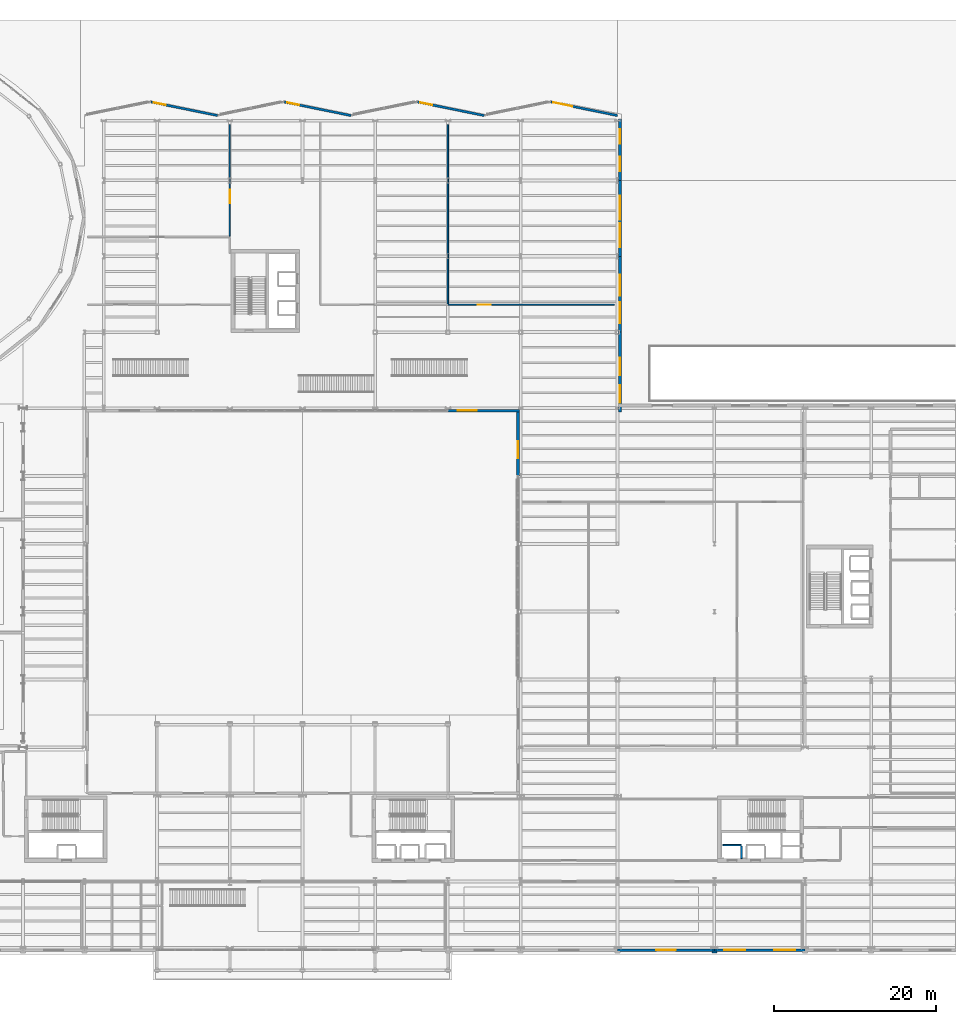
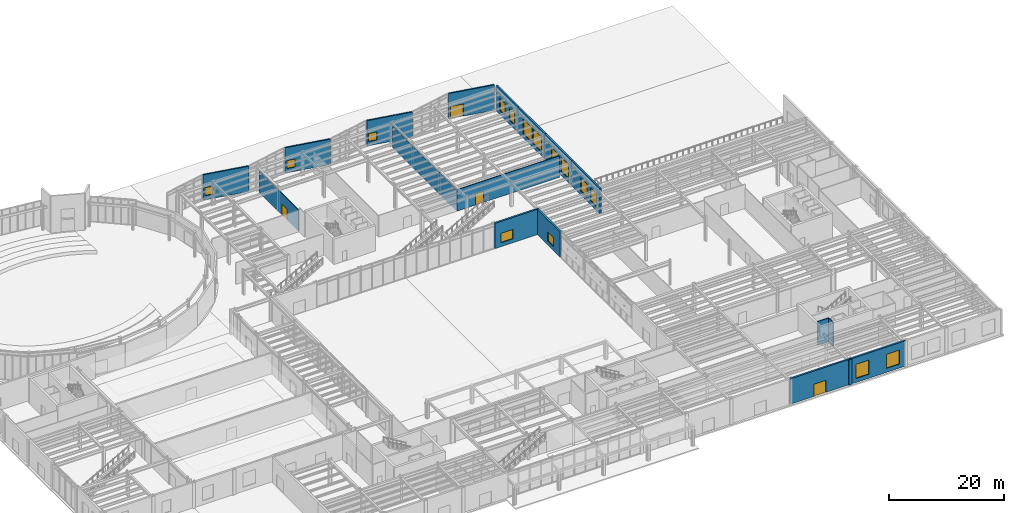
# One storey, part 77 of 94: 18 walls, 15 windows, 4 doors, 19 openings.
"""IFC4 building model written with IfcOpenShell, lengths in metres."""

from ifc_helpers import new_model, si_unit, direction, frame, frame_2d, origin, place, context, subcontext, project, spatial, rectangle, extrude, material, layer, layer_set, type_object, element, fill, save


model = new_model("IFC4")

# Units and contexts
model_context = context("Model", 3, precision=1e-05, world=origin(), true_north=direction((0.0, 1.0)))
body_context = subcontext(model_context, "Body", "Model", "MODEL_VIEW")
ifc_project = project(units=[si_unit("LENGTHUNIT", "METRE"), si_unit("AREAUNIT", "SQUARE_METRE"), si_unit("VOLUMEUNIT", "CUBIC_METRE"), si_unit("PLANEANGLEUNIT", "RADIAN"), si_unit("MASSUNIT", "GRAM", prefix="KILO")], contexts=[model_context])

# Site, building, storey
site_placement = place(None, origin())
site = spatial("IfcSite", under=ifc_project, at=site_placement, CompositionType="ELEMENT")
building_placement = place(site_placement, origin())
building = spatial("IfcBuilding", under=site, at=building_placement, Name="Sollismere Congress Hotel", CompositionType="ELEMENT")
storey_placement = place(building_placement, origin())
storey = spatial("IfcBuildingStorey", under=building, at=storey_placement, Name="L00", CompositionType="ELEMENT", Elevation=0.0)

# Wall, opening, window
ifc_material_1 = material(Name="Colorado Buff Sandstone Rainscreen on Insulated Backup", Category="masonry")
ifc_layer_1 = layer(ifc_material_1, 0.284912109375, Name="Colorado Buff Sandstone Rainscreen on Insulated Backup")
ifc_layer_set_1 = layer_set([ifc_layer_1], Name="Colorado Buff Sandstone Rainscreen on Insulated Backup")
wall_type_1 = type_object("IfcWallType", Name="WL-EXT285", PredefinedType="STANDARD", material=ifc_layer_set_1)
wall_1_placement = place(storey_placement, frame((66.25, 104.698486328125, 0.0), z_axis=(0.0, 0.0, 1.0), x_axis=(0.979925045119, -0.199366260807, 0.0)))
wall_1 = element("IfcWall", 1, at=wall_1_placement, inside=storey, type_object=wall_type_1, Name="Exterior wall EW-L00-021", PredefinedType="STANDARD", context=body_context, shape_type="SweptSolid", body=[
    extrude(rectangle(XDim=8.4189453125, YDim=0.284912109375, at=frame_2d((4.20947265625, 0.0))), origin(), (0.0, 0.0, 1.0), 5.39990234375),
])
opening_1_placement = place(wall_1_placement, frame((0.35009765625, 0.0, 0.89990234375)))
opening_1 = element("IfcOpeningElement", 2, at=opening_1_placement, cuts=wall_1, Name="Opening W-L00-005", PredefinedType="OPENING", context=body_context, shape_type="SweptSolid", body=[
    extrude(rectangle(XDim=1.5, YDim=1.699951171875, at=frame_2d((0.75, 0.85009765625))), frame((0.0, 0.15234375, 0.0), z_axis=(0.0, -1.0, 0.0), x_axis=(1.0, 0.0, 0.0)), (0.0, 0.0, 1.0), 0.304931640625),
])
ifc_material_2 = material(Name="Thermally Broken Bronze Aluminum & Low-E Glass", Category="aluminium")
window_type_1 = type_object("IfcWindowType", Name="WN-P150x170", PartitioningType="SINGLE_PANEL", PredefinedType="WINDOW", material=ifc_material_2)
window_1_placement = place(opening_1_placement, origin())
window_1 = element("IfcWindow", 3, at=window_1_placement, inside=storey, type_object=window_type_1, Name="WIN-W-L00-005", OverallHeight=1.699951171875, OverallWidth=1.5, PartitioningType="SINGLE_PANEL", PredefinedType="WINDOW", context=body_context, shape_type="SweptSolid", body=[
    extrude(rectangle(XDim=1.5, YDim=1.699951171875, at=frame_2d((0.75, 0.85009765625))), frame((0.0, 0.030029296875, 0.0), z_axis=(0.0, -1.0, 0.0), x_axis=(1.0, 0.0, 0.0)), (0.0, 0.0, 1.0), 0.06005859375),
])
fill(opening_1, window_1)

wall_2_placement = place(storey_placement, frame((82.75, 104.698486328125, 0.0), z_axis=(0.0, 0.0, 1.0), x_axis=(0.979925045119, -0.199366260807, 0.0)))
wall_2 = element("IfcWall", 4, at=wall_2_placement, inside=storey, type_object=wall_type_1, Name="Exterior wall EW-L00-022", PredefinedType="STANDARD", context=body_context, shape_type="SweptSolid", body=[
    extrude(rectangle(XDim=8.4189453125, YDim=0.284912109375, at=frame_2d((4.20947265625, 0.0))), origin(), (0.0, 0.0, 1.0), 5.39990234375),
])
opening_2_placement = place(wall_2_placement, frame((0.35009765625, 0.0, 0.89990234375)))
opening_2 = element("IfcOpeningElement", 5, at=opening_2_placement, cuts=wall_2, Name="Opening W-L00-006", PredefinedType="OPENING", context=body_context, shape_type="SweptSolid", body=[
    extrude(rectangle(XDim=1.5, YDim=1.699951171875, at=frame_2d((0.75, 0.85009765625))), frame((0.0, 0.15234375, 0.0), z_axis=(0.0, -1.0, 0.0), x_axis=(1.0, 0.0, 0.0)), (0.0, 0.0, 1.0), 0.304931640625),
])
window_2_placement = place(opening_2_placement, origin())
window_2 = element("IfcWindow", 6, at=window_2_placement, inside=storey, type_object=window_type_1, Name="WIN-W-L00-006", OverallHeight=1.699951171875, OverallWidth=1.5, PartitioningType="SINGLE_PANEL", PredefinedType="WINDOW", context=body_context, shape_type="SweptSolid", body=[
    extrude(rectangle(XDim=1.5, YDim=1.699951171875, at=frame_2d((0.75, 0.85009765625))), frame((0.0, 0.030029296875, 0.0), z_axis=(0.0, -1.0, 0.0), x_axis=(1.0, 0.0, 0.0)), (0.0, 0.0, 1.0), 0.06005859375),
])
fill(opening_2, window_2)

wall_3_placement = place(storey_placement, frame((99.25, 104.698486328125, 0.0), z_axis=(0.0, 0.0, 1.0), x_axis=(0.979925045119, -0.199366260807, 0.0)))
wall_3 = element("IfcWall", 7, at=wall_3_placement, inside=storey, type_object=wall_type_1, Name="Exterior wall EW-L00-023", PredefinedType="STANDARD", context=body_context, shape_type="SweptSolid", body=[
    extrude(rectangle(XDim=8.4189453125, YDim=0.284912109375, at=frame_2d((4.20947265625, 0.0))), origin(), (0.0, 0.0, 1.0), 5.39990234375),
])
opening_3_placement = place(wall_3_placement, frame((0.35009765625, 0.0, 0.89990234375)))
opening_3 = element("IfcOpeningElement", 8, at=opening_3_placement, cuts=wall_3, Name="Opening W-L00-007", PredefinedType="OPENING", context=body_context, shape_type="SweptSolid", body=[
    extrude(rectangle(XDim=1.5, YDim=1.699951171875, at=frame_2d((0.75, 0.85009765625))), frame((0.0, 0.15234375, 0.0), z_axis=(0.0, -1.0, 0.0), x_axis=(1.0, 0.0, 0.0)), (0.0, 0.0, 1.0), 0.304931640625),
])
window_3_placement = place(opening_3_placement, origin())
window_3 = element("IfcWindow", 9, at=window_3_placement, inside=storey, type_object=window_type_1, Name="WIN-W-L00-007", OverallHeight=1.699951171875, OverallWidth=1.5, PartitioningType="SINGLE_PANEL", PredefinedType="WINDOW", context=body_context, shape_type="SweptSolid", body=[
    extrude(rectangle(XDim=1.5, YDim=1.699951171875, at=frame_2d((0.75, 0.85009765625))), frame((0.0, 0.030029296875, 0.0), z_axis=(0.0, -1.0, 0.0), x_axis=(1.0, 0.0, 0.0)), (0.0, 0.0, 1.0), 0.06005859375),
])
fill(opening_3, window_3)

# Wall, opening, door
wall_4_placement = place(storey_placement, frame((115.75, 104.698486328125, 0.0), z_axis=(0.0, 0.0, 1.0), x_axis=(0.979925045119, -0.199366260807, 0.0)))
wall_4 = element("IfcWall", 10, at=wall_4_placement, inside=storey, type_object=wall_type_1, Name="Exterior wall EW-L00-024", PredefinedType="STANDARD", context=body_context, shape_type="SweptSolid", body=[
    extrude(rectangle(XDim=8.4189453125, YDim=0.284912109375, at=frame_2d((4.20947265625, 0.0))), origin(), (0.0, 0.0, 1.0), 5.39990234375),
])
opening_4_placement = place(wall_4_placement, frame((0.300048828125, 0.0, 0.0)))
opening_4 = element("IfcOpeningElement", 11, at=opening_4_placement, cuts=wall_4, Name="Opening D-L00-E06", PredefinedType="OPENING", context=body_context, shape_type="SweptSolid", body=[
    extrude(rectangle(XDim=2.39990234375, YDim=2.60009765625, at=frame_2d((1.199951171875, 1.300048828125))), frame((0.0, 0.15234375, 0.0), z_axis=(0.0, -1.0, 0.0), x_axis=(1.0, 0.0, 0.0)), (0.0, 0.0, 1.0), 0.304931640625),
])
ifc_material_3 = material(Name="Thermally Broken Bronze-Anodized Aluminum & Laminated Glass", Category="aluminium")
door_type_1 = type_object("IfcDoorType", Name="DR-EX240", OperationType="DOUBLE_DOOR_SINGLE_SWING", PredefinedType="DOOR", material=ifc_material_3)
door_1_placement = place(opening_4_placement, origin())
door_1 = element("IfcDoor", 12, at=door_1_placement, inside=storey, type_object=door_type_1, Name="DOR-D-L00-E06", OperationType="DOUBLE_DOOR_SINGLE_SWING", OverallHeight=2.60009765625, OverallWidth=2.39990234375, PredefinedType="DOOR", context=body_context, shape_type="SweptSolid", body=[
    extrude(rectangle(XDim=2.39990234375, YDim=2.60009765625, at=frame_2d((1.199951171875, 1.300048828125))), frame((0.0, 0.02490234375, 0.0), z_axis=(0.0, -1.0, 0.0), x_axis=(1.0, 0.0, 0.0)), (0.0, 0.0, 1.0), 0.050048828125),
])
fill(opening_4, door_1)

# Wall, openings, windows
ifc_material_4 = material(Name="Colorado Buff Sandstone and Limestone Backup C40/50", Category="masonry")
ifc_layer_2 = layer(ifc_material_4, 0.340087890625, Name="Colorado Buff Sandstone and Limestone Backup C40/50")
ifc_layer_set_2 = layer_set([ifc_layer_2], Name="Colorado Buff Sandstone and Limestone Backup C40/50")
wall_type_2 = type_object("IfcWallType", Name="WL-EXT340", PredefinedType="STANDARD", material=ifc_layer_set_2)
wall_5_placement = place(storey_placement, frame((124.31005859375, 66.35009765625, 0.0), z_axis=(0.0, 0.0, 1.0), x_axis=(0.0, 1.0, 0.0)))
wall_5 = element("IfcWall", 13, at=wall_5_placement, inside=storey, type_object=wall_type_2, Name="Exterior wall EW-L00-025", PredefinedType="STANDARD", context=body_context, shape_type="SweptSolid", body=[
    extrude(rectangle(XDim=9.849853515625, YDim=0.340087890625, at=frame_2d((4.9248046875, 0.0))), origin(), (0.0, 0.0, 1.0), 5.39990234375),
])
opening_5_placement = place(wall_5_placement, frame((1.10009765625, 0.0, 0.85009765625)))
opening_5 = element("IfcOpeningElement", 14, at=opening_5_placement, cuts=wall_5, Name="Opening W-L00-008", PredefinedType="OPENING", context=body_context, shape_type="SweptSolid", body=[
    extrude(rectangle(XDim=2.199951171875, YDim=2.800048828125, at=frame_2d((1.10009765625, 1.39990234375))), frame((0.0, 0.179931640625, 0.0), z_axis=(0.0, -1.0, 0.0), x_axis=(1.0, 0.0, 0.0)), (0.0, 0.0, 1.0), 0.360107421875),
])
opening_6_placement = place(wall_5_placement, frame((4.5, 0.0, 0.85009765625)))
opening_6 = element("IfcOpeningElement", 15, at=opening_6_placement, cuts=wall_5, Name="Opening W-L00-009", PredefinedType="OPENING", context=body_context, shape_type="SweptSolid", body=[
    extrude(rectangle(XDim=2.199951171875, YDim=2.800048828125, at=frame_2d((1.10009765625, 1.39990234375))), frame((0.0, 0.179931640625, 0.0), z_axis=(0.0, -1.0, 0.0), x_axis=(1.0, 0.0, 0.0)), (0.0, 0.0, 1.0), 0.360107421875),
])
window_type_2 = type_object("IfcWindowType", Name="WN-A220x280", PartitioningType="SINGLE_PANEL", PredefinedType="WINDOW", material=ifc_material_2)
window_4_placement = place(opening_5_placement, origin())
window_4 = element("IfcWindow", 16, at=window_4_placement, inside=storey, type_object=window_type_2, Name="WIN-W-L00-008", OverallHeight=2.800048828125, OverallWidth=2.199951171875, PartitioningType="SINGLE_PANEL", PredefinedType="WINDOW", context=body_context, shape_type="SweptSolid", body=[
    extrude(rectangle(XDim=2.199951171875, YDim=2.800048828125, at=frame_2d((1.10009765625, 1.39990234375))), frame((0.0, 0.030029296875, 0.0), z_axis=(0.0, -1.0, 0.0), x_axis=(1.0, 0.0, 0.0)), (0.0, 0.0, 1.0), 0.06005859375),
])
fill(opening_5, window_4)
window_5_placement = place(opening_6_placement, origin())
window_5 = element("IfcWindow", 17, at=window_5_placement, inside=storey, type_object=window_type_2, Name="WIN-W-L00-009", OverallHeight=2.800048828125, OverallWidth=2.199951171875, PartitioningType="SINGLE_PANEL", PredefinedType="WINDOW", context=body_context, shape_type="SweptSolid", body=[
    extrude(rectangle(XDim=2.199951171875, YDim=2.800048828125, at=frame_2d((1.10009765625, 1.39990234375))), frame((0.0, 0.030029296875, 0.0), z_axis=(0.0, -1.0, 0.0), x_axis=(1.0, 0.0, 0.0)), (0.0, 0.0, 1.0), 0.06005859375),
])
fill(opening_6, window_5)

wall_6_placement = place(storey_placement, frame((124.31005859375, 76.199951171875, 0.0), z_axis=(0.0, 0.0, 1.0), x_axis=(0.0, 1.0, 0.0)))
wall_6 = element("IfcWall", 18, at=wall_6_placement, inside=storey, type_object=wall_type_2, Name="Exterior wall EW-L00-026", PredefinedType="STANDARD", context=body_context, shape_type="SweptSolid", body=[
    extrude(rectangle(XDim=9.400146484375, YDim=0.340087890625, at=frame_2d((4.7001953125, 0.0))), origin(), (0.0, 0.0, 1.0), 5.39990234375),
])
opening_7_placement = place(wall_6_placement, frame((1.10009765625, 0.0, 0.85009765625)))
opening_7 = element("IfcOpeningElement", 19, at=opening_7_placement, cuts=wall_6, Name="Opening W-L00-010", PredefinedType="OPENING", context=body_context, shape_type="SweptSolid", body=[
    extrude(rectangle(XDim=2.60009765625, YDim=3.0, at=frame_2d((1.300048828125, 1.5))), frame((0.0, 0.179931640625, 0.0), z_axis=(0.0, -1.0, 0.0), x_axis=(1.0, 0.0, 0.0)), (0.0, 0.0, 1.0), 0.360107421875),
])
opening_8_placement = place(wall_6_placement, frame((4.5, 0.0, 0.85009765625)))
opening_8 = element("IfcOpeningElement", 20, at=opening_8_placement, cuts=wall_6, Name="Opening W-L00-011", PredefinedType="OPENING", context=body_context, shape_type="SweptSolid", body=[
    extrude(rectangle(XDim=2.60009765625, YDim=3.0, at=frame_2d((1.300048828125, 1.5))), frame((0.0, 0.179931640625, 0.0), z_axis=(0.0, -1.0, 0.0), x_axis=(1.0, 0.0, 0.0)), (0.0, 0.0, 1.0), 0.360107421875),
])
window_type_3 = type_object("IfcWindowType", Name="WN-A260x300", PartitioningType="SINGLE_PANEL", PredefinedType="WINDOW", material=ifc_material_2)
window_6_placement = place(opening_7_placement, origin())
window_6 = element("IfcWindow", 21, at=window_6_placement, inside=storey, type_object=window_type_3, Name="WIN-W-L00-010", OverallHeight=3.0, OverallWidth=2.60009765625, PartitioningType="SINGLE_PANEL", PredefinedType="WINDOW", context=body_context, shape_type="SweptSolid", body=[
    extrude(rectangle(XDim=2.60009765625, YDim=3.0, at=frame_2d((1.300048828125, 1.5))), frame((0.0, 0.030029296875, 0.0), z_axis=(0.0, -1.0, 0.0), x_axis=(1.0, 0.0, 0.0)), (0.0, 0.0, 1.0), 0.06005859375),
])
fill(opening_7, window_6)
window_7_placement = place(opening_8_placement, origin())
window_7 = element("IfcWindow", 22, at=window_7_placement, inside=storey, type_object=window_type_3, Name="WIN-W-L00-011", OverallHeight=3.0, OverallWidth=2.60009765625, PartitioningType="SINGLE_PANEL", PredefinedType="WINDOW", context=body_context, shape_type="SweptSolid", body=[
    extrude(rectangle(XDim=2.60009765625, YDim=3.0, at=frame_2d((1.300048828125, 1.5))), frame((0.0, 0.030029296875, 0.0), z_axis=(0.0, -1.0, 0.0), x_axis=(1.0, 0.0, 0.0)), (0.0, 0.0, 1.0), 0.06005859375),
])
fill(opening_8, window_7)

wall_7_placement = place(storey_placement, frame((124.31005859375, 85.60009765625, 0.0), z_axis=(0.0, 0.0, 1.0), x_axis=(0.0, 1.0, 0.0)))
wall_7 = element("IfcWall", 23, at=wall_7_placement, inside=storey, type_object=wall_type_2, Name="Exterior wall EW-L00-027", PredefinedType="STANDARD", context=body_context, shape_type="SweptSolid", body=[
    extrude(rectangle(XDim=9.39990234375, YDim=0.340087890625, at=frame_2d((4.699951171875, 0.0))), origin(), (0.0, 0.0, 1.0), 5.39990234375),
])
opening_9_placement = place(wall_7_placement, frame((1.10009765625, 0.0, 0.85009765625)))
opening_9 = element("IfcOpeningElement", 24, at=opening_9_placement, cuts=wall_7, Name="Opening W-L00-012", PredefinedType="OPENING", context=body_context, shape_type="SweptSolid", body=[
    extrude(rectangle(XDim=3.0, YDim=3.199951171875, at=frame_2d((1.5, 1.60009765625))), frame((0.0, 0.179931640625, 0.0), z_axis=(0.0, -1.0, 0.0), x_axis=(1.0, 0.0, 0.0)), (0.0, 0.0, 1.0), 0.360107421875),
])
opening_10_placement = place(wall_7_placement, frame((4.5, 0.0, 0.85009765625)))
opening_10 = element("IfcOpeningElement", 25, at=opening_10_placement, cuts=wall_7, Name="Opening W-L00-013", PredefinedType="OPENING", context=body_context, shape_type="SweptSolid", body=[
    extrude(rectangle(XDim=3.0, YDim=3.199951171875, at=frame_2d((1.5, 1.60009765625))), frame((0.0, 0.179931640625, 0.0), z_axis=(0.0, -1.0, 0.0), x_axis=(1.0, 0.0, 0.0)), (0.0, 0.0, 1.0), 0.360107421875),
])
window_type_4 = type_object("IfcWindowType", Name="WN-A300x320", PartitioningType="SINGLE_PANEL", PredefinedType="WINDOW", material=ifc_material_2)
window_8_placement = place(opening_9_placement, origin())
window_8 = element("IfcWindow", 26, at=window_8_placement, inside=storey, type_object=window_type_4, Name="WIN-W-L00-012", OverallHeight=3.199951171875, OverallWidth=3.0, PartitioningType="SINGLE_PANEL", PredefinedType="WINDOW", context=body_context, shape_type="SweptSolid", body=[
    extrude(rectangle(XDim=3.0, YDim=3.199951171875, at=frame_2d((1.5, 1.60009765625))), frame((0.0, 0.030029296875, 0.0), z_axis=(0.0, -1.0, 0.0), x_axis=(1.0, 0.0, 0.0)), (0.0, 0.0, 1.0), 0.06005859375),
])
fill(opening_9, window_8)
window_9_placement = place(opening_10_placement, origin())
window_9 = element("IfcWindow", 27, at=window_9_placement, inside=storey, type_object=window_type_4, Name="WIN-W-L00-013", OverallHeight=3.199951171875, OverallWidth=3.0, PartitioningType="SINGLE_PANEL", PredefinedType="WINDOW", context=body_context, shape_type="SweptSolid", body=[
    extrude(rectangle(XDim=3.0, YDim=3.199951171875, at=frame_2d((1.5, 1.60009765625))), frame((0.0, 0.030029296875, 0.0), z_axis=(0.0, -1.0, 0.0), x_axis=(1.0, 0.0, 0.0)), (0.0, 0.0, 1.0), 0.06005859375),
])
fill(opening_10, window_9)

wall_8_placement = place(storey_placement, frame((124.31005859375, 95.0, 0.0), z_axis=(0.0, 0.0, 1.0), x_axis=(0.0, 1.0, 0.0)))
wall_8 = element("IfcWall", 28, at=wall_8_placement, inside=storey, type_object=wall_type_2, Name="Exterior wall EW-L00-028", PredefinedType="STANDARD", context=body_context, shape_type="SweptSolid", body=[
    extrude(rectangle(XDim=7.60009765625, YDim=0.340087890625, at=frame_2d((3.800048828125, 0.0))), origin(), (0.0, 0.0, 1.0), 5.39990234375),
])
opening_11_placement = place(wall_8_placement, frame((1.10009765625, 0.0, 0.85009765625)))
opening_11 = element("IfcOpeningElement", 29, at=opening_11_placement, cuts=wall_8, Name="Opening W-L00-014", PredefinedType="OPENING", context=body_context, shape_type="SweptSolid", body=[
    extrude(rectangle(XDim=1.800048828125, YDim=2.60009765625, at=frame_2d((0.89990234375, 1.300048828125))), frame((0.0, 0.179931640625, 0.0), z_axis=(0.0, -1.0, 0.0), x_axis=(1.0, 0.0, 0.0)), (0.0, 0.0, 1.0), 0.360107421875),
])
opening_12_placement = place(wall_8_placement, frame((4.5, 0.0, 0.85009765625)))
opening_12 = element("IfcOpeningElement", 30, at=opening_12_placement, cuts=wall_8, Name="Opening W-L00-015", PredefinedType="OPENING", context=body_context, shape_type="SweptSolid", body=[
    extrude(rectangle(XDim=1.800048828125, YDim=2.60009765625, at=frame_2d((0.89990234375, 1.300048828125))), frame((0.0, 0.179931640625, 0.0), z_axis=(0.0, -1.0, 0.0), x_axis=(1.0, 0.0, 0.0)), (0.0, 0.0, 1.0), 0.360107421875),
])
window_type_5 = type_object("IfcWindowType", Name="WN-A180x260", PartitioningType="SINGLE_PANEL", PredefinedType="WINDOW", material=ifc_material_2)
window_10_placement = place(opening_11_placement, origin())
window_10 = element("IfcWindow", 31, at=window_10_placement, inside=storey, type_object=window_type_5, Name="WIN-W-L00-014", OverallHeight=2.60009765625, OverallWidth=1.800048828125, PartitioningType="SINGLE_PANEL", PredefinedType="WINDOW", context=body_context, shape_type="SweptSolid", body=[
    extrude(rectangle(XDim=1.800048828125, YDim=2.60009765625, at=frame_2d((0.89990234375, 1.300048828125))), frame((0.0, 0.030029296875, 0.0), z_axis=(0.0, -1.0, 0.0), x_axis=(1.0, 0.0, 0.0)), (0.0, 0.0, 1.0), 0.06005859375),
])
fill(opening_11, window_10)
window_11_placement = place(opening_12_placement, origin())
window_11 = element("IfcWindow", 32, at=window_11_placement, inside=storey, type_object=window_type_5, Name="WIN-W-L00-015", OverallHeight=2.60009765625, OverallWidth=1.800048828125, PartitioningType="SINGLE_PANEL", PredefinedType="WINDOW", context=body_context, shape_type="SweptSolid", body=[
    extrude(rectangle(XDim=1.800048828125, YDim=2.60009765625, at=frame_2d((0.89990234375, 1.300048828125))), frame((0.0, 0.030029296875, 0.0), z_axis=(0.0, -1.0, 0.0), x_axis=(1.0, 0.0, 0.0)), (0.0, 0.0, 1.0), 0.06005859375),
])
fill(opening_12, window_11)

# Wall, opening, window
wall_9_placement = place(storey_placement, frame((103.0, 66.489990234375, 0.0), z_axis=(0.0, 0.0, 1.0), x_axis=(1.0, 0.0, 0.0)))
wall_9 = element("IfcWall", 33, at=wall_9_placement, inside=storey, type_object=wall_type_2, Name="Exterior wall EW-L00-030", PredefinedType="STANDARD", context=body_context, shape_type="SweptSolid", body=[
    extrude(rectangle(XDim=8.85009765625, YDim=0.340087890625, at=frame_2d((4.425048828125, 0.0))), origin(), (0.0, 0.0, 1.0), 5.39990234375),
])
opening_13_placement = place(wall_9_placement, frame((1.199951171875, 0.0, 0.85009765625)))
opening_13 = element("IfcOpeningElement", 34, at=opening_13_placement, cuts=wall_9, Name="Opening W-L00-016", PredefinedType="OPENING", context=body_context, shape_type="SweptSolid", body=[
    extrude(rectangle(XDim=2.39990234375, YDim=2.0, at=frame_2d((1.199951171875, 1.0))), frame((0.0, 0.179931640625, 0.0), z_axis=(0.0, -1.0, 0.0), x_axis=(1.0, 0.0, 0.0)), (0.0, 0.0, 1.0), 0.360107421875),
])
window_type_6 = type_object("IfcWindowType", Name="WN-P240x200", PartitioningType="SINGLE_PANEL", PredefinedType="WINDOW", material=ifc_material_2)
window_12_placement = place(opening_13_placement, origin())
window_12 = element("IfcWindow", 35, at=window_12_placement, inside=storey, type_object=window_type_6, Name="WIN-W-L00-016", OverallHeight=2.0, OverallWidth=2.39990234375, PartitioningType="SINGLE_PANEL", PredefinedType="WINDOW", context=body_context, shape_type="SweptSolid", body=[
    extrude(rectangle(XDim=2.39990234375, YDim=2.0, at=frame_2d((1.199951171875, 1.0))), frame((0.0, 0.030029296875, 0.0), z_axis=(0.0, -1.0, 0.0), x_axis=(1.0, 0.0, 0.0)), (0.0, 0.0, 1.0), 0.06005859375),
])
fill(opening_13, window_12)

wall_10_placement = place(storey_placement, frame((111.68994140625, 58.39990234375, 0.0), z_axis=(0.0, 0.0, 1.0), x_axis=(0.0, 1.0, 0.0)))
wall_10 = element("IfcWall", 36, at=wall_10_placement, inside=storey, type_object=wall_type_2, Name="Exterior wall EW-L00-201", PredefinedType="STANDARD", context=body_context, shape_type="SweptSolid", body=[
    extrude(rectangle(XDim=7.918212890625, YDim=0.340087890625, at=frame_2d((3.958984375, 0.0))), origin(), (0.0, 0.0, 1.0), 5.39990234375),
])
opening_14_placement = place(wall_10_placement, frame((2.199951171875, 0.0, 0.85009765625)))
opening_14 = element("IfcOpeningElement", 37, at=opening_14_placement, cuts=wall_10, Name="Opening W-L00-166", PredefinedType="OPENING", context=body_context, shape_type="SweptSolid", body=[
    extrude(rectangle(XDim=2.10009765625, YDim=1.89990234375, at=frame_2d((1.050048828125, 0.949951171875))), frame((0.0, 0.179931640625, 0.0), z_axis=(0.0, -1.0, 0.0), x_axis=(1.0, 0.0, 0.0)), (0.0, 0.0, 1.0), 0.360107421875),
])
window_type_7 = type_object("IfcWindowType", Name="WN-P210x190", PartitioningType="SINGLE_PANEL", PredefinedType="WINDOW", material=ifc_material_2)
window_13_placement = place(opening_14_placement, origin())
window_13 = element("IfcWindow", 38, at=window_13_placement, inside=storey, type_object=window_type_7, Name="WIN-W-L00-166", OverallHeight=1.89990234375, OverallWidth=2.10009765625, PartitioningType="SINGLE_PANEL", PredefinedType="WINDOW", context=body_context, shape_type="SweptSolid", body=[
    extrude(rectangle(XDim=2.10009765625, YDim=1.89990234375, at=frame_2d((1.050048828125, 0.949951171875))), frame((0.0, 0.030029296875, 0.0), z_axis=(0.0, -1.0, 0.0), x_axis=(1.0, 0.0, 0.0)), (0.0, 0.0, 1.0), 0.06005859375),
])
fill(opening_14, window_13)

# Wall, opening, door
wall_11_placement = place(storey_placement, frame((124.0, -0.31005859375, 0.0), z_axis=(0.0, 0.0, 1.0), x_axis=(1.0, 0.0, 0.0)))
wall_11 = element("IfcWall", 39, at=wall_11_placement, inside=storey, type_object=wall_type_2, Name="Exterior wall EW-L00-240", PredefinedType="STANDARD", context=body_context, shape_type="SweptSolid", body=[
    extrude(rectangle(XDim=12.0, YDim=0.340087890625, at=frame_2d((6.0, 0.0))), origin(), (0.0, 0.0, 1.0), 5.39990234375),
])
opening_15_placement = place(wall_11_placement, frame((4.800048828125, 0.0, 0.0)))
opening_15 = element("IfcOpeningElement", 40, at=opening_15_placement, cuts=wall_11, Name="Opening D-L00-E22", PredefinedType="OPENING", context=body_context, shape_type="SweptSolid", body=[
    extrude(rectangle(XDim=2.39990234375, YDim=2.60009765625, at=frame_2d((1.199951171875, 1.300048828125))), frame((0.0, 0.179931640625, 0.0), z_axis=(0.0, -1.0, 0.0), x_axis=(1.0, 0.0, 0.0)), (0.0, 0.0, 1.0), 0.360107421875),
])
door_2_placement = place(opening_15_placement, frame((2.39990234375, 0.0, 0.0), z_axis=(0.0, 0.0, 1.0), x_axis=(-1.0, 0.0, 0.0)))
door_2 = element("IfcDoor", 41, at=door_2_placement, inside=storey, type_object=door_type_1, Name="DOR-D-L00-E22", OperationType="DOUBLE_DOOR_SINGLE_SWING", OverallHeight=2.60009765625, OverallWidth=2.39990234375, PredefinedType="DOOR", context=body_context, shape_type="SweptSolid", body=[
    extrude(rectangle(XDim=2.39990234375, YDim=2.60009765625, at=frame_2d((1.199951171875, 1.300048828125))), frame((0.0, 0.02490234375, 0.0), z_axis=(0.0, -1.0, 0.0), x_axis=(1.0, 0.0, 0.0)), (0.0, 0.0, 1.0), 0.050048828125),
])
fill(opening_15, door_2)

# Wall, openings, windows
wall_12_placement = place(storey_placement, frame((136.0, -0.31005859375, 0.0), z_axis=(0.0, 0.0, 1.0), x_axis=(1.0, 0.0, 0.0)))
wall_12 = element("IfcWall", 42, at=wall_12_placement, inside=storey, type_object=wall_type_2, Name="Exterior wall EW-L00-242", PredefinedType="STANDARD", context=body_context, shape_type="SweptSolid", body=[
    extrude(rectangle(XDim=11.199951171875, YDim=0.340087890625, at=frame_2d((5.60009765625, 0.0))), origin(), (0.0, 0.0, 1.0), 5.39990234375),
])
opening_16_placement = place(wall_12_placement, frame((1.199951171875, 0.0, 0.85009765625)))
opening_16 = element("IfcOpeningElement", 43, at=opening_16_placement, cuts=wall_12, Name="Opening W-L00-200", PredefinedType="OPENING", context=body_context, shape_type="SweptSolid", body=[
    extrude(rectangle(XDim=2.60009765625, YDim=3.0, at=frame_2d((1.300048828125, 1.5))), frame((0.0, 0.179931640625, 0.0), z_axis=(0.0, -1.0, 0.0), x_axis=(1.0, 0.0, 0.0)), (0.0, 0.0, 1.0), 0.360107421875),
])
opening_17_placement = place(wall_12_placement, frame((7.39990234375, 0.0, 0.85009765625)))
opening_17 = element("IfcOpeningElement", 44, at=opening_17_placement, cuts=wall_12, Name="Opening W-L00-201", PredefinedType="OPENING", context=body_context, shape_type="SweptSolid", body=[
    extrude(rectangle(XDim=2.60009765625, YDim=3.0, at=frame_2d((1.300048828125, 1.5))), frame((0.0, 0.179931640625, 0.0), z_axis=(0.0, -1.0, 0.0), x_axis=(1.0, 0.0, 0.0)), (0.0, 0.0, 1.0), 0.360107421875),
])
window_14_placement = place(opening_16_placement, origin())
window_14 = element("IfcWindow", 45, at=window_14_placement, inside=storey, type_object=window_type_3, Name="WIN-W-L00-200", OverallHeight=3.0, OverallWidth=2.60009765625, PartitioningType="SINGLE_PANEL", PredefinedType="WINDOW", context=body_context, shape_type="SweptSolid", body=[
    extrude(rectangle(XDim=2.60009765625, YDim=3.0, at=frame_2d((1.300048828125, 1.5))), frame((0.0, 0.030029296875, 0.0), z_axis=(0.0, -1.0, 0.0), x_axis=(1.0, 0.0, 0.0)), (0.0, 0.0, 1.0), 0.06005859375),
])
fill(opening_16, window_14)
window_15_placement = place(opening_17_placement, origin())
window_15 = element("IfcWindow", 46, at=window_15_placement, inside=storey, type_object=window_type_3, Name="WIN-W-L00-201", OverallHeight=3.0, OverallWidth=2.60009765625, PartitioningType="SINGLE_PANEL", PredefinedType="WINDOW", context=body_context, shape_type="SweptSolid", body=[
    extrude(rectangle(XDim=2.60009765625, YDim=3.0, at=frame_2d((1.300048828125, 1.5))), frame((0.0, 0.030029296875, 0.0), z_axis=(0.0, -1.0, 0.0), x_axis=(1.0, 0.0, 0.0)), (0.0, 0.0, 1.0), 0.06005859375),
])
fill(opening_17, window_15)

# Walls
ifc_material_5 = material(Name="Carved Travertine Pilaster & Frieze Assembly", Category="masonry")
ifc_layer_3 = layer(ifc_material_5, 0.260009765625, Name="Carved Travertine Pilaster & Frieze Assembly")
ifc_layer_set_3 = layer_set([ifc_layer_3], Name="Carved Travertine Pilaster & Frieze Assembly")
wall_type_3 = type_object("IfcWallType", Name="WL-PIL280", PredefinedType="ELEMENTEDWALL", material=ifc_layer_set_3)
wall_13_placement = place(storey_placement, frame((135.699951171875, -0.52001953125, 0.0), z_axis=(0.0, 0.0, 1.0), x_axis=(1.0, 0.0, 0.0)))
element("IfcWall", 47, at=wall_13_placement, inside=storey, type_object=wall_type_3, Name="Exterior wall EW-L00-243", PredefinedType="ELEMENTEDWALL", context=body_context, shape_type="SweptSolid", body=[
    extrude(rectangle(XDim=0.60009765625, YDim=0.260009765625, at=frame_2d((0.300048828125, 0.0))), origin(), (0.0, 0.0, 1.0), 5.39990234375),
])
ifc_material_6 = material(Name="Moisture-Resistant Shaft Gypsum Assembly")
ifc_layer_4 = layer(ifc_material_6, 0.199951171875, Name="Moisture-Resistant Shaft Gypsum Assembly")
ifc_layer_set_4 = layer_set([ifc_layer_4], Name="Moisture-Resistant Shaft Gypsum Assembly")
wall_type_4 = type_object("IfcWallType", Name="WL-PLM200", PredefinedType="PLUMBINGWALL", material=ifc_layer_set_4)
wall_14_placement = place(storey_placement, frame((137.054931640625, 12.68994140625, 0.0), z_axis=(0.0, 0.0, 1.0), x_axis=(1.0, 0.0, 0.0)))
element("IfcWall", 48, at=wall_14_placement, inside=storey, type_object=wall_type_4, Name="Interior wall IW-L00-0022", PredefinedType="PLUMBINGWALL", context=body_context, shape_type="SweptSolid", body=[
    extrude(rectangle(XDim=2.2900390625, YDim=0.199951171875, at=frame_2d((1.14501953125, 0.0))), origin(), (0.0, 0.0, 1.0), 5.090087890625),
])
wall_15_placement = place(storey_placement, frame((139.344970703125, 11.037109375, 0.0), z_axis=(0.0, 0.0, 1.0), x_axis=(0.0, 1.0, 0.0)))
element("IfcWall", 49, at=wall_15_placement, inside=storey, type_object=wall_type_4, Name="Interior wall IW-L00-0023", PredefinedType="PLUMBINGWALL", context=body_context, shape_type="SweptSolid", body=[
    extrude(rectangle(XDim=1.540771484375, YDim=0.199951171875, at=frame_2d((0.7705078125, 0.0))), origin(), (0.0, 0.0, 1.0), 5.090087890625),
])

# Wall, opening, door
ifc_material_7 = material(Name="Fire-Rated Acoustic Gypsum Partition")
ifc_layer_5 = layer(ifc_material_7, 0.1650390625, Name="Fire-Rated Acoustic Gypsum Partition")
ifc_layer_set_5 = layer_set([ifc_layer_5], Name="Fire-Rated Acoustic Gypsum Partition")
wall_type_5 = type_object("IfcWallType", Name="WL-PRT165R", PredefinedType="PARTITIONING", material=ifc_layer_set_5)
wall_16_placement = place(storey_placement, frame((103.0, 79.60009765625, 0.0), z_axis=(0.0, 0.0, 1.0), x_axis=(1.0, 0.0, 0.0)))
wall_16 = element("IfcWall", 50, at=wall_16_placement, inside=storey, type_object=wall_type_5, Name="Interior wall IW-L00-0808", PredefinedType="PARTITIONING", context=body_context, shape_type="SweptSolid", body=[
    extrude(rectangle(XDim=20.60009765625, YDim=0.1650390625, at=frame_2d((10.300048828125, 0.0))), origin(), (0.0, 0.0, 1.0), 4.56396484375),
])
opening_18_placement = place(wall_16_placement, frame((3.699951171875, 0.0, 0.0)))
opening_18 = element("IfcOpeningElement", 51, at=opening_18_placement, cuts=wall_16, Name="Opening D-L00-0279", PredefinedType="OPENING", context=body_context, shape_type="SweptSolid", body=[
    extrude(rectangle(XDim=1.60009765625, YDim=2.39990234375, at=frame_2d((0.800048828125, 1.199951171875))), frame((0.0, 0.092529296875, 0.0), z_axis=(0.0, -1.0, 0.0), x_axis=(1.0, 0.0, 0.0)), (0.0, 0.0, 1.0), 0.18505859375),
])
ifc_material_8 = material(Name="Acoustic Oak Double Meeting Door")
door_type_2 = type_object("IfcDoorType", Name="DR-MT160", OperationType="NOTDEFINED", PredefinedType="DOOR", material=ifc_material_8)
door_3_placement = place(opening_18_placement, origin())
door_3 = element("IfcDoor", 52, at=door_3_placement, inside=storey, type_object=door_type_2, Name="Interior door D-L00-0279", OperationType="DOUBLE_DOOR_SINGLE_SWING", OverallHeight=2.39990234375, OverallWidth=1.60009765625, PredefinedType="DOOR", context=body_context, shape_type="SweptSolid", body=[
    extrude(rectangle(XDim=1.60009765625, YDim=2.39990234375, at=frame_2d((0.800048828125, 1.199951171875))), frame((0.0, 0.02490234375, 0.0), z_axis=(0.0, -1.0, 0.0), x_axis=(1.0, 0.0, 0.0)), (0.0, 0.0, 1.0), 0.050048828125),
])
fill(opening_18, door_3)

wall_17_placement = place(storey_placement, frame((76.0, 88.094482421875, 0.0), z_axis=(0.0, 0.0, 1.0), x_axis=(0.0, 1.0, 0.0)))
wall_17 = element("IfcWall", 53, at=wall_17_placement, inside=storey, type_object=wall_type_5, Name="Interior wall IW-L00-0827", PredefinedType="PARTITIONING", context=body_context, shape_type="SweptSolid", body=[
    extrude(rectangle(XDim=13.805419921875, YDim=0.1650390625, at=frame_2d((6.90283203125, 0.0))), origin(), (0.0, 0.0, 1.0), 4.5029296875),
])
opening_19_placement = place(wall_17_placement, frame((4.055908203125, 0.0, 0.0)))
opening_19 = element("IfcOpeningElement", 54, at=opening_19_placement, cuts=wall_17, Name="Opening D-L00-0287", PredefinedType="OPENING", context=body_context, shape_type="SweptSolid", body=[
    extrude(rectangle(XDim=1.699951171875, YDim=2.300048828125, at=frame_2d((0.85009765625, 1.14990234375))), frame((0.0, 0.092529296875, 0.0), z_axis=(0.0, -1.0, 0.0), x_axis=(1.0, 0.0, 0.0)), (0.0, 0.0, 1.0), 0.18505859375),
])
ifc_material_9 = material(Name="Stainless Double Banquet Kitchen Door")
door_type_3 = type_object("IfcDoorType", Name="DR-KT170", OperationType="NOTDEFINED", PredefinedType="DOOR", material=ifc_material_9)
door_4_placement = place(opening_19_placement, origin())
door_4 = element("IfcDoor", 55, at=door_4_placement, inside=storey, type_object=door_type_3, Name="Interior door D-L00-0287", OperationType="DOUBLE_DOOR_SINGLE_SWING", OverallHeight=2.300048828125, OverallWidth=1.699951171875, PredefinedType="DOOR", context=body_context, shape_type="SweptSolid", body=[
    extrude(rectangle(XDim=1.699951171875, YDim=2.300048828125, at=frame_2d((0.85009765625, 1.14990234375))), frame((0.0, 0.02490234375, 0.0), z_axis=(0.0, -1.0, 0.0), x_axis=(1.0, 0.0, 0.0)), (0.0, 0.0, 1.0), 0.050048828125),
])
fill(opening_19, door_4)

# Wall
wall_18_placement = place(storey_placement, frame((103.0, 79.694580078125, 0.0), z_axis=(0.0, 0.0, 1.0), x_axis=(0.0, 1.0, 0.0)))
element("IfcWall", 56, at=wall_18_placement, inside=storey, type_object=wall_type_5, Name="Interior wall IW-L00-0831", PredefinedType="PARTITIONING", context=body_context, shape_type="SweptSolid", body=[
    extrude(rectangle(XDim=22.205322265625, YDim=0.1650390625, at=frame_2d((11.1025390625, 0.0))), origin(), (0.0, 0.0, 1.0), 4.5029296875),
])

save(model, "model.ifc")
